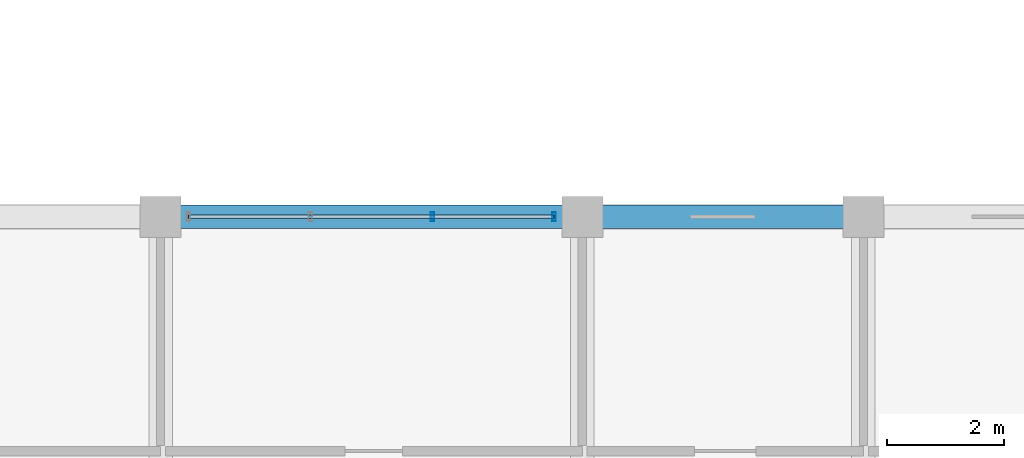
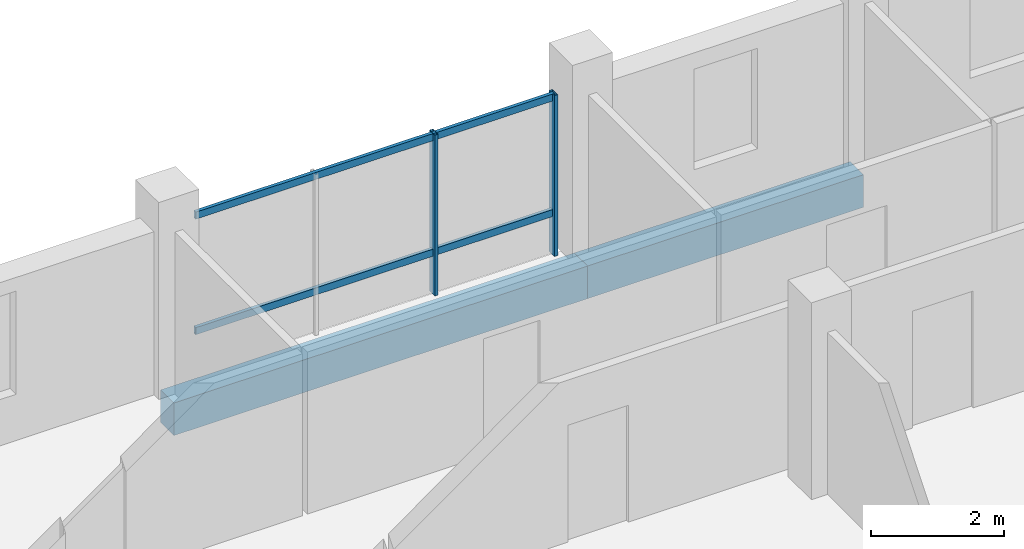
# One storey, part 15 of 128: 4 members, 2 beams, 1 element without a shape of its own.
"""IFC4 building model written with IfcOpenShell, lengths in metres."""

import ifcopenshell
import ifcopenshell.guid

model = None  # the IFC model being written
_history = None  # IfcOwnerHistory: only IFC2X3 demands one
_inside = {}  # id of a spatial element -> (the spatial element, [elements in it])
_under = {}  # id of a project, library or spatial element -> (it, [spatial elements below it])
_declared = {}  # id of a project -> (the project, [libraries it declares])
_typed = {}  # id of a type object -> (the type object, [elements of that type])
_made_of = {}  # id of a material, layer set ... -> (it, [elements and type objects made of it])


def new_model(schema):
    """Start an empty IFC model of exactly this schema.

    Asked for "IFC4X3", IfcOpenShell would pick the latest addendum, in which some entities
    have other attributes; the version numbers below select the first issue.
    IFC2X3 requires an IfcOwnerHistory on every rooted entity: one is made here for all.
    """
    global model, _history
    if schema == "IFC4X3":
        model = ifcopenshell.file(schema_version=(4, 3, 0, 0))
    else:
        model = ifcopenshell.file(schema=schema)
    _inside.clear()
    _under.clear()
    _declared.clear()
    _typed.clear()
    _made_of.clear()
    _history = None
    if model.schema == "IFC2X3":
        org = make("IfcOrganization", Name="unknown")
        user = make(
            "IfcPersonAndOrganization",
            ThePerson=make("IfcPerson", FamilyName="unknown"),
            TheOrganization=org,
        )
        app = make(
            "IfcApplication",
            ApplicationDeveloper=org,
            Version="unknown",
            ApplicationFullName="unknown",
            ApplicationIdentifier="unknown",
        )
        _history = make(
            "IfcOwnerHistory",
            OwningUser=user,
            OwningApplication=app,
            ChangeAction="ADDED",
            CreationDate=0,
        )
    return model


def make(cls, **values):
    """One entity of the class cls with the attributes given. An attribute that is None is left unset."""
    return model.create_entity(
        cls, **{name: value for name, value in values.items() if value is not None}
    )


def rooted(cls, **values):
    """An entity with a GlobalId (a new one), such as an element, a storey or a relation."""
    return make(cls, GlobalId=ifcopenshell.guid.new(), OwnerHistory=_history, **values)


def si_unit(unit_type, name, prefix=None):
    """IfcSIUnit, for example si_unit("LENGTHUNIT", "METRE", prefix="MILLI")."""
    return make("IfcSIUnit", UnitType=unit_type, Prefix=prefix, Name=name)


def assignment(units):
    """IfcUnitAssignment: the units of a project."""
    return None if units is None else make("IfcUnitAssignment", Units=units)


def point(xyz):
    """IfcCartesianPoint."""
    return None if xyz is None else make("IfcCartesianPoint", Coordinates=xyz)


def direction(xyz):
    """IfcDirection."""
    return None if xyz is None else make("IfcDirection", DirectionRatios=xyz)


def frame(location, z_axis=None, x_axis=None):
    """IfcAxis2Placement3D, a coordinate frame: its origin and axes. An axis left out is left unset."""
    return make(
        "IfcAxis2Placement3D",
        Location=point(location),
        Axis=direction(z_axis),
        RefDirection=direction(x_axis),
    )


def frame_2d(location, x_axis=None):
    """IfcAxis2Placement2D, a coordinate frame in the plane: its origin and x axis."""
    return make(
        "IfcAxis2Placement2D", Location=point(location), RefDirection=direction(x_axis)
    )


def origin():
    """The frame at (0, 0, 0) with its axes left unset."""
    return frame((0.0, 0.0, 0.0))


def origin_2d():
    """The frame at (0, 0) in the plane with its x axis left unset."""
    return frame_2d((0.0, 0.0))


def place(relative_to, where):
    """IfcLocalPlacement: puts the frame where relative to a parent placement (None: the world)."""
    return make(
        "IfcLocalPlacement", PlacementRelTo=relative_to, RelativePlacement=where
    )


def context(
    kind, dimensions, precision=None, world=None, true_north=None, identifier=None
):
    """IfcGeometricRepresentationContext, for example the 3D "Model" context."""
    return make(
        "IfcGeometricRepresentationContext",
        ContextIdentifier=identifier,
        ContextType=kind,
        CoordinateSpaceDimension=dimensions,
        Precision=precision,
        WorldCoordinateSystem=world,
        TrueNorth=true_north,
    )


def subcontext(parent, identifier, kind, view, scale=None):
    """IfcGeometricRepresentationSubContext, for example "Body" below "Model"."""
    return make(
        "IfcGeometricRepresentationSubContext",
        ContextIdentifier=identifier,
        ContextType=kind,
        ParentContext=parent,
        TargetScale=scale,
        TargetView=view,
    )


def project(units=None, contexts=None):
    """IfcProject with its units and contexts."""
    return rooted(
        "IfcProject",
        Name="project",
        RepresentationContexts=contexts,
        UnitsInContext=assignment(units),
    )


def spatial(cls, under=None, at=None, **own):
    """A site, building, storey or space (cls), placed at a placement, below another one or the project."""
    s = rooted(cls, ObjectPlacement=at, **own)
    if under is not None:
        _under.setdefault(under.id(), (under, []))[1].append(s)
    return s


def profile(cls, at=None, kind="AREA", **sizes):
    """A parametric profile (cls). Its sizes go by their IFC names, for example OverallWidth=200.0."""
    return make(cls, ProfileType=kind, Position=at, **sizes)


def rectangle(**sizes):
    """IfcRectangleProfileDef."""
    return profile("IfcRectangleProfileDef", **sizes)


def hollow_rectangle(**sizes):
    """IfcRectangleHollowProfileDef."""
    return profile("IfcRectangleHollowProfileDef", **sizes)


def extrude(swept, where, along, depth):
    """IfcExtrudedAreaSolid: the profile swept, set in the frame where, extruded along a direction by depth."""
    return make(
        "IfcExtrudedAreaSolid",
        SweptArea=swept,
        Position=where,
        ExtrudedDirection=direction(along),
        Depth=depth,
    )


def shape(context_of_items, identifier, shape_type, items):
    """IfcShapeRepresentation: the items that make up one representation, for example the "Body"."""
    return make(
        "IfcShapeRepresentation",
        ContextOfItems=context_of_items,
        RepresentationIdentifier=identifier,
        RepresentationType=shape_type,
        Items=items,
    )


def material(Name=None, Category=None):
    """IfcMaterial."""
    return make("IfcMaterial", Name=Name, Category=Category)


def material_profile(
    of_material, cross_section, Name=None, Category=None, Priority=None
):
    """IfcMaterialProfile: a cross section and its material."""
    return make(
        "IfcMaterialProfile",
        Name=Name,
        Material=of_material,
        Profile=cross_section,
        Priority=Priority,
        Category=Category,
    )


def profile_set(profiles, Name=None, composite=None):
    """IfcMaterialProfileSet."""
    return make(
        "IfcMaterialProfileSet",
        Name=Name,
        MaterialProfiles=profiles,
        CompositeProfile=composite,
    )


def made_of(thing, what):
    """Note that an element or type object is made of a material, layer set ...; save() writes the relation."""
    if what is not None:
        _made_of.setdefault(what.id(), (what, []))[1].append(thing)
    return thing


def type_object(cls, material=None, **own):
    """A type object (cls), such as IfcWallType, which elements share."""
    return made_of(rooted(cls, **own), material)


def element(
    cls,
    number,
    at=None,
    inside=None,
    cuts=None,
    type_object=None,
    material=None,
    context=None,
    identifier="Body",
    shape_type=None,
    held_by="IfcProductDefinitionShape",
    body=None,
    shapes=None,
    **own,
):
    """One element of the class cls, such as IfcWall. Its Tag is "e" and its number.

    at: its placement. inside: the storey or other place that contains it. cuts: it is an
    opening in that element (IfcRelVoidsElement). A single representation is given by context,
    identifier, shape_type and body (its items); several are given by shapes. held_by: the class
    of the entity that holds the representations. save() writes the other relations.
    """
    e = rooted(cls, Tag="e%d" % number, ObjectPlacement=at, **own)
    if body is not None:
        shapes = [shape(context, identifier, shape_type, body)]
    if shapes is not None:
        e.Representation = make(held_by, Representations=shapes)
    if inside is not None:
        _inside.setdefault(inside.id(), (inside, []))[1].append(e)
    if cuts is not None:
        rooted(
            "IfcRelVoidsElement", RelatingBuildingElement=cuts, RelatedOpeningElement=e
        )
    if type_object is not None:
        _typed.setdefault(type_object.id(), (type_object, []))[1].append(e)
    return made_of(e, material)


def aggregate(whole, parts):
    """IfcRelAggregates: a whole, such as a stair, and the parts it consists of."""
    return rooted("IfcRelAggregates", RelatingObject=whole, RelatedObjects=parts)


def save(model, path):
    """Write the relations noted so far, then the file.

    IfcRelAggregates (storeys below a building ...), IfcRelContainedInSpatialStructure (elements
    in a storey), IfcRelDefinesByType, IfcRelAssociatesMaterial and IfcRelDeclares: one each for
    every whole, place, type object, material and project.
    """
    for whole, parts in _under.values():
        aggregate(whole, parts)
    for where, things in _inside.values():
        rooted(
            "IfcRelContainedInSpatialStructure",
            RelatedElements=things,
            RelatingStructure=where,
        )
    for kind, things in _typed.values():
        rooted("IfcRelDefinesByType", RelatedObjects=things, RelatingType=kind)
    for what, things in _made_of.values():
        rooted("IfcRelAssociatesMaterial", RelatedObjects=things, RelatingMaterial=what)
    for by, libraries in _declared.values():
        rooted("IfcRelDeclares", RelatingContext=by, RelatedDefinitions=libraries)
    model.write(path)


model = new_model("IFC4")

# Units and contexts
model_context = context("Model", 3, precision=1e-05, world=origin(), true_north=direction((0.0, 1.0)))
body_context = subcontext(model_context, "Body", "Model", "MODEL_VIEW")
ifc_project = project(units=[si_unit("LENGTHUNIT", "METRE"), si_unit("AREAUNIT", "SQUARE_METRE"), si_unit("VOLUMEUNIT", "CUBIC_METRE"), si_unit("PLANEANGLEUNIT", "RADIAN"), si_unit("MASSUNIT", "GRAM", prefix="KILO")], contexts=[model_context])

# Site, building, storey
site_placement = place(None, origin())
site = spatial("IfcSite", under=ifc_project, at=site_placement, CompositionType="ELEMENT")
building_placement = place(site_placement, origin())
building = spatial("IfcBuilding", under=site, at=building_placement, Name="Zornivar Specialist Clinic", CompositionType="ELEMENT")
storey_placement = place(building_placement, frame((0.0, 0.0, 4.5)))
storey = spatial("IfcBuildingStorey", under=building, at=storey_placement, Name="L01", CompositionType="ELEMENT", Elevation=4.5)

# Beams
ifc_material_1 = material(Name="Concrete C30/37", Category="concrete")
ifc_material_profile_1 = material_profile(ifc_material_1, rectangle(XDim=0.39990234375, YDim=0.60009765625, at=origin_2d()), Name="RC 400x600")
ifc_profile_set_1 = profile_set([ifc_material_profile_1], Name="Concrete C30/37")
beam_type = type_object("IfcBeamType", Name="BM-RC-400x600", PredefinedType="BEAM", material=ifc_profile_set_1)
beam_1_placement = place(storey_placement, frame((21.60009765625, 14.39990234375, -0.580078125), z_axis=(1.0, 0.0, 0.0), x_axis=(0.0, 1.0, 0.0)))
element("IfcBeam", 1, at=beam_1_placement, inside=storey, type_object=beam_type, Name="bm:V2:L01:x:144:3", PredefinedType="BEAM", context=body_context, shape_type="SweptSolid", body=[
    extrude(rectangle(XDim=0.39990234375, YDim=0.60009765625, at=origin_2d()), origin(), (0.0, 0.0, 1.0), 7.199951171875),
])
beam_2_placement = place(storey_placement, frame((28.800048828125, 14.39990234375, -0.580078125), z_axis=(1.0, 0.0, 0.0), x_axis=(0.0, 1.0, 0.0)))
element("IfcBeam", 2, at=beam_2_placement, inside=storey, type_object=beam_type, Name="bm:V2:L01:x:144:4", PredefinedType="BEAM", context=body_context, shape_type="SweptSolid", body=[
    extrude(rectangle(XDim=0.39990234375, YDim=0.60009765625, at=origin_2d()), origin(), (0.0, 0.0, 1.0), 4.800048828125),
])

# Curtain wall, members
ifc_material_2 = material(Name="Aluminium and Low-E Glass Curtain Wall", Category="aluminium")
curtain_wall_type = type_object("IfcCurtainWallType", Name="CW-REVAK-COURT", PredefinedType="NOTDEFINED", material=ifc_material_2)
curtain_wall_placement = place(storey_placement, origin())
curtain_wall = element("IfcCurtainWall", 3, at=curtain_wall_placement, inside=storey, type_object=curtain_wall_type, Name="cw:V2:L01:12", PredefinedType="NOTDEFINED")
ifc_material_3 = material(Name="Aluminium AW-6060", Category="aluminium")
ifc_material_profile_2 = material_profile(ifc_material_3, hollow_rectangle(XDim=0.06005859375, YDim=0.159912109375, WallThickness=0.00390625, at=origin_2d()), Name="ALU 60x160x4")
ifc_profile_set_2 = profile_set([ifc_material_profile_2], Name="Aluminium AW-6060")
member_type_1 = type_object("IfcMemberType", Name="CWM-MUL-160", PredefinedType="MULLION", material=ifc_profile_set_2)
member_1_placement = place(storey_placement, frame((28.320068359375, 14.39990234375, 0.0), z_axis=(0.0, 0.0, 1.0), x_axis=(1.0, 0.0, 0.0)))
member_1 = element("IfcMember", 4, at=member_1_placement, type_object=member_type_1, Name="cw:V2:L01:12:mul:0", PredefinedType="MULLION", context=body_context, shape_type="SweptSolid", body=[
    extrude(hollow_rectangle(XDim=0.06005859375, YDim=0.159912109375, WallThickness=0.00390625, at=origin_2d()), origin(), (0.0, 0.0, 1.0), 2.9599609375),
])
member_2_placement = place(storey_placement, frame((26.239990234375, 14.39990234375, 0.0), z_axis=(0.0, 0.0, 1.0), x_axis=(1.0, 0.0, 0.0)))
member_2 = element("IfcMember", 5, at=member_2_placement, type_object=member_type_1, Name="cw:V2:L01:12:mul:1", PredefinedType="MULLION", context=body_context, shape_type="SweptSolid", body=[
    extrude(hollow_rectangle(XDim=0.06005859375, YDim=0.159912109375, WallThickness=0.00390625, at=origin_2d()), origin(), (0.0, 0.0, 1.0), 2.9599609375),
])
ifc_material_4 = material(Name="Aluminium AW-6060", Category="aluminium")
ifc_material_profile_3 = material_profile(ifc_material_4, hollow_rectangle(XDim=0.06005859375, YDim=0.1298828125, WallThickness=0.00390625, at=origin_2d()), Name="ALU 60x130x4")
ifc_profile_set_3 = profile_set([ifc_material_profile_3], Name="Aluminium AW-6060")
member_type_2 = type_object("IfcMemberType", Name="CWM-TRN-130", PredefinedType="USERDEFINED", material=ifc_profile_set_3)
member_3_placement = place(storey_placement, frame((28.320068359375, 14.39990234375, 0.77001953125), z_axis=(-1.0, 0.0, 0.0), x_axis=(0.0, -1.0, 0.0)))
member_3 = element("IfcMember", 6, at=member_3_placement, type_object=member_type_2, Name="cw:V2:L01:12:trn:0", ObjectType="TRANSOM", PredefinedType="USERDEFINED", context=body_context, shape_type="SweptSolid", body=[
    extrude(hollow_rectangle(XDim=0.06005859375, YDim=0.1298828125, WallThickness=0.00390625, at=origin_2d()), origin(), (0.0, 0.0, 1.0), 6.239990234375),
])
member_4_placement = place(storey_placement, frame((28.320068359375, 14.39990234375, 2.89501953125), z_axis=(-1.0, 0.0, 0.0), x_axis=(0.0, -1.0, 0.0)))
member_4 = element("IfcMember", 7, at=member_4_placement, type_object=member_type_2, Name="cw:V2:L01:12:trn:1", ObjectType="TRANSOM", PredefinedType="USERDEFINED", context=body_context, shape_type="SweptSolid", body=[
    extrude(hollow_rectangle(XDim=0.06005859375, YDim=0.1298828125, WallThickness=0.00390625, at=origin_2d()), origin(), (0.0, 0.0, 1.0), 6.239990234375),
])
aggregate(curtain_wall, [member_1, member_2, member_3, member_4])

save(model, "model.ifc")
